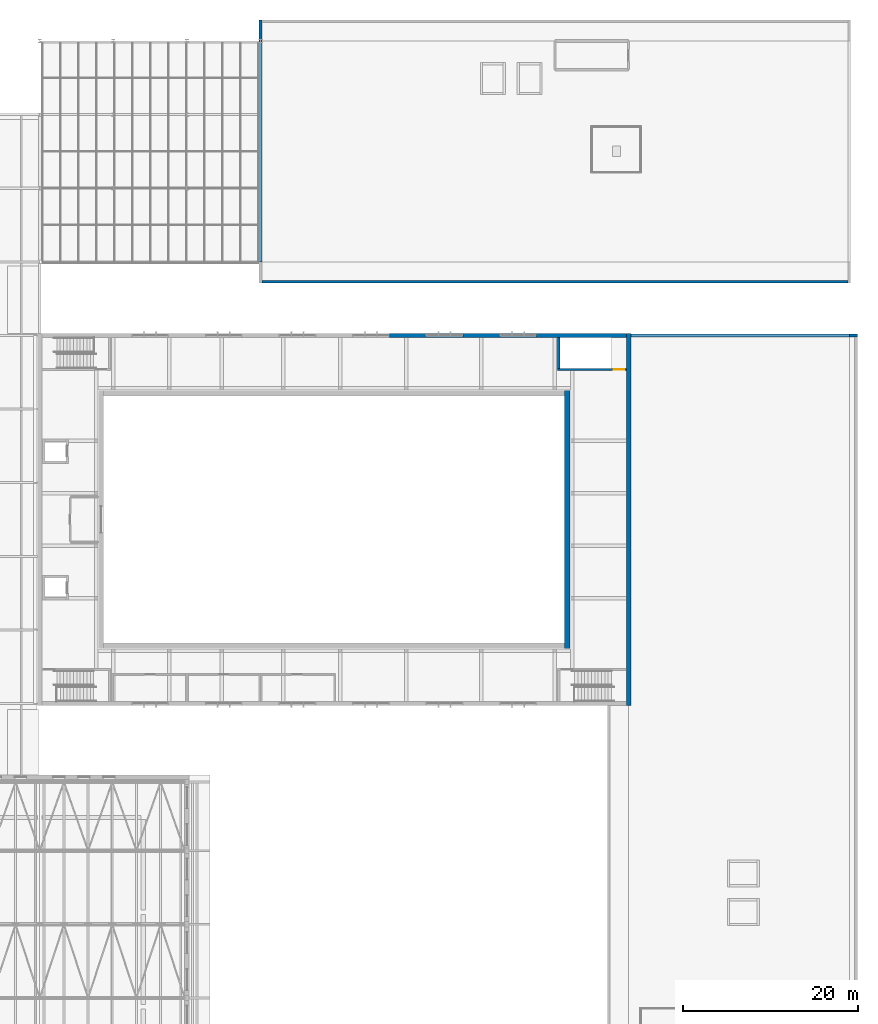
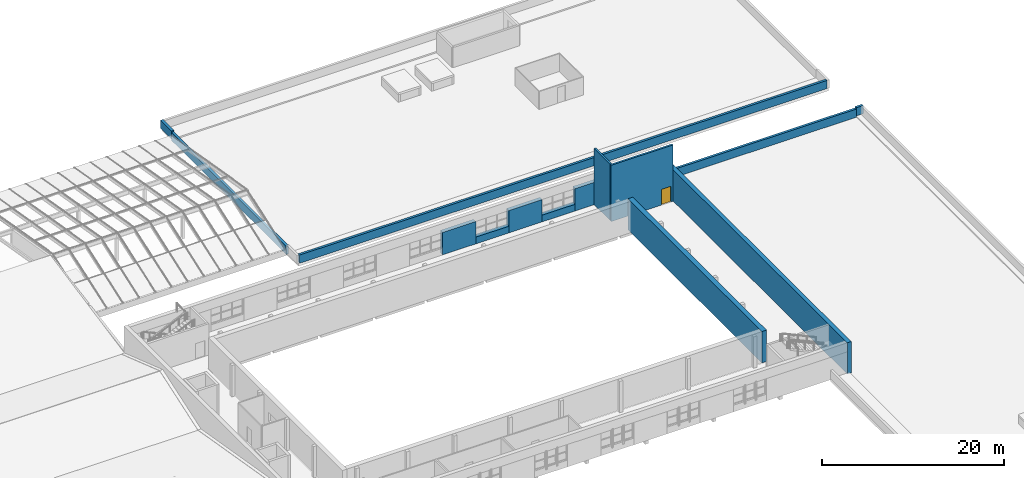
# One storey, part 44 of 60: 14 walls, 1 door, 1 opening.
"""IFC4 building model written with IfcOpenShell, lengths in metres."""

from ifc_helpers import new_model, si_unit, direction, frame, frame_2d, origin, place, context, subcontext, project, spatial, rectangle, extrude, material, layer, layer_set, type_object, element, fill, save


model = new_model("IFC4")

# Units and contexts
model_context = context("Model", 3, precision=1e-05, world=origin(), true_north=direction((0.0, 1.0)))
body_context = subcontext(model_context, "Body", "Model", "MODEL_VIEW")
ifc_project = project(units=[si_unit("LENGTHUNIT", "METRE"), si_unit("AREAUNIT", "SQUARE_METRE"), si_unit("VOLUMEUNIT", "CUBIC_METRE"), si_unit("PLANEANGLEUNIT", "RADIAN"), si_unit("MASSUNIT", "GRAM", prefix="KILO")], contexts=[model_context])

# Site, building, storey
site_placement = place(None, origin())
site = spatial("IfcSite", under=ifc_project, at=site_placement, CompositionType="ELEMENT")
building_placement = place(site_placement, origin())
building = spatial("IfcBuilding", under=site, at=building_placement, Name="Ljudholm Concert House", CompositionType="ELEMENT")
storey_placement = place(building_placement, frame((0.0, 0.0, 15.0)))
storey = spatial("IfcBuildingStorey", under=building, at=storey_placement, Name="L03", CompositionType="ELEMENT", Elevation=15.0)

# Walls
ifc_material_1 = material(Name="Precast concrete 5,000 psi", Category="concrete")
ifc_layer_1 = layer(ifc_material_1, 0.300048828125)
ifc_layer_set_1 = layer_set([ifc_layer_1], Name="Precast concrete 5,000 psi")
wall_type_1 = type_object("IfcWallType", Name="PARAPET 300", PredefinedType="PARAPET", material=ifc_layer_set_1)
wall_1_placement = place(storey_placement, frame((96.64990234375, 96.39990234375, 0.0), z_axis=(0.0, 0.0, 1.0), x_axis=(1.0, 0.0, 0.0)))
element("IfcWall", 1, at=wall_1_placement, inside=storey, type_object=wall_type_1, Name="Parapet", PredefinedType="PARAPET", context=body_context, shape_type="SweptSolid", body=[
    extrude(rectangle(XDim=24.9501953125, YDim=0.300048828125, at=frame_2d((12.47509765625, 0.0))), origin(), (0.0, 0.0, 1.0), 1.10009765625),
])
wall_2_placement = place(storey_placement, frame((121.60009765625, 96.39990234375, 0.169921875), z_axis=(0.0, 0.0, 1.0), x_axis=(1.0, 0.0, 0.0)))
element("IfcWall", 2, at=wall_2_placement, inside=storey, type_object=wall_type_1, Name="Parapet", PredefinedType="PARAPET", context=body_context, shape_type="SweptSolid", body=[
    extrude(rectangle(XDim=0.89990234375, YDim=0.300048828125, at=frame_2d((0.449951171875, 0.0))), origin(), (0.0, 0.0, 1.0), 1.10009765625),
])
wall_3_placement = place(storey_placement, frame((54.39990234375, 104.800048828125, 0.0), z_axis=(0.0, 0.0, 1.0), x_axis=(0.0, 1.0, 0.0)))
element("IfcWall", 3, at=wall_3_placement, inside=storey, type_object=wall_type_1, Name="Parapet", PredefinedType="PARAPET", context=body_context, shape_type="SweptSolid", body=[
    extrude(rectangle(XDim=25.199951171875, YDim=0.300048828125, at=frame_2d((12.60009765625, 0.0))), origin(), (0.0, 0.0, 1.0), 1.10009765625),
])
wall_4_placement = place(storey_placement, frame((54.39990234375, 130.0, 0.169921875), z_axis=(0.0, 0.0, 1.0), x_axis=(0.0, 1.0, 0.0)))
element("IfcWall", 4, at=wall_4_placement, inside=storey, type_object=wall_type_1, Name="Parapet", PredefinedType="PARAPET", context=body_context, shape_type="SweptSolid", body=[
    extrude(rectangle(XDim=2.39990234375, YDim=0.300048828125, at=frame_2d((1.199951171875, 0.0))), origin(), (0.0, 0.0, 1.0), 1.10009765625),
])
wall_5_placement = place(storey_placement, frame((54.550048828125, 102.550048828125, 0.169921875), z_axis=(0.0, 0.0, 1.0), x_axis=(1.0, 0.0, 0.0)))
element("IfcWall", 5, at=wall_5_placement, inside=storey, type_object=wall_type_1, Name="Parapet", PredefinedType="PARAPET", context=body_context, shape_type="SweptSolid", body=[
    extrude(rectangle(XDim=66.89990234375, YDim=0.300048828125, at=frame_2d((33.449951171875, 0.0))), origin(), (0.0, 0.0, 1.0), 1.10009765625),
])

# Wall, opening, door
ifc_material_2 = material(Name="Concrete 6,500 psi", Category="concrete")
ifc_layer_2 = layer(ifc_material_2, 0.25)
ifc_layer_set_2 = layer_set([ifc_layer_2], Name="Concrete 6,500 psi")
wall_type_2 = type_object("IfcWallType", Name="RC WALL 250", PredefinedType="SOLIDWALL", material=ifc_layer_set_2)
wall_6_placement = place(storey_placement, frame((88.300048828125, 92.52490234375, 0.0), z_axis=(0.0, 0.0, 1.0), x_axis=(1.0, 0.0, 0.0)))
wall_6 = element("IfcWall", 6, at=wall_6_placement, inside=storey, type_object=wall_type_2, Name="Stair enclosure wall EH4", PredefinedType="SOLIDWALL", context=body_context, shape_type="SweptSolid", body=[
    extrude(rectangle(XDim=7.849853515625, YDim=0.25, at=frame_2d((3.9248046875, 0.0))), origin(), (0.0, 0.0, 1.0), 7.550048828125),
])
opening_placement = place(wall_6_placement, frame((6.39990234375, 0.0, 0.0)))
opening = element("IfcOpeningElement", 7, at=opening_placement, cuts=wall_6, Name="Opening D-H03-010", PredefinedType="OPENING", context=body_context, shape_type="SweptSolid", body=[
    extrude(rectangle(XDim=1.199951171875, YDim=2.10009765625, at=frame_2d((0.60009765625, 1.050048828125))), frame((0.0, 0.135009765625, 0.0), z_axis=(0.0, -1.0, 0.0), x_axis=(1.0, 0.0, 0.0)), (0.0, 0.0, 1.0), 0.27001953125),
])
ifc_material_3 = material(Name="Hollow metal door in steel frame", Category="steel")
door_type = type_object("IfcDoorType", Name="SWING DOOR 1200x2100", OperationType="SINGLE_SWING_LEFT", PredefinedType="DOOR", material=ifc_material_3)
door_placement = place(opening_placement, origin())
door = element("IfcDoor", 8, at=door_placement, inside=storey, type_object=door_type, Name="Exit stair EH4 door", OperationType="SINGLE_SWING_LEFT", OverallHeight=2.10009765625, OverallWidth=1.199951171875, PredefinedType="DOOR", context=body_context, shape_type="SweptSolid", body=[
    extrude(rectangle(XDim=1.199951171875, YDim=2.10009765625, at=frame_2d((0.60009765625, 1.050048828125))), frame((0.0, 0.02490234375, 0.0), z_axis=(0.0, -1.0, 0.0), x_axis=(1.0, 0.0, 0.0)), (0.0, 0.0, 1.0), 0.050048828125),
])
fill(opening, door)

# Walls
wall_7_placement = place(storey_placement, frame((88.425048828125, 92.64990234375, 0.0), z_axis=(0.0, 0.0, 1.0), x_axis=(0.0, 1.0, 0.0)))
element("IfcWall", 9, at=wall_7_placement, inside=storey, type_object=wall_type_2, Name="Stair enclosure wall EH4", PredefinedType="SOLIDWALL", context=body_context, shape_type="SweptSolid", body=[
    extrude(rectangle(XDim=3.5, YDim=0.25, at=frame_2d((1.75, 0.0))), origin(), (0.0, 0.0, 1.0), 7.550048828125),
])
ifc_material_4 = material(Name="Concrete 6,500 psi", Category="concrete")
ifc_layer_3 = layer(ifc_material_4, 0.5)
ifc_layer_set_3 = layer_set([ifc_layer_3], Name="Concrete 6,500 psi")
wall_type_3 = type_object("IfcWallType", Name="RC WALL 500", PredefinedType="SOLIDWALL", material=ifc_layer_set_3)
wall_8_placement = place(storey_placement, frame((96.39990234375, 54.14990234375, 0.0), z_axis=(0.0, 0.0, 1.0), x_axis=(0.0, 1.0, 0.0)))
element("IfcWall", 10, at=wall_8_placement, inside=storey, type_object=wall_type_3, Name="Outer wall E", PredefinedType="SOLIDWALL", context=body_context, shape_type="SweptSolid", body=[
    extrude(rectangle(XDim=42.5, YDim=0.5, at=frame_2d((21.25, 0.0))), origin(), (0.0, 0.0, 1.0), 4.199951171875),
])
for number, where, z_axis, x_axis, name in (
    (11, (69.10009765625, 96.39990234375, 0.0), (0.0, 0.0, 1.0), (1.0, 0.0, 0.0), "Outer wall N"),
    (12, (77.5, 96.39990234375, 0.0), (0.0, 0.0, 1.0), (1.0, 0.0, 0.0), "Outer wall N"),
):
    element("IfcWall", number, at=place(storey_placement, frame(where, z_axis=z_axis, x_axis=x_axis)), inside=storey, type_object=wall_type_3, Name=name, PredefinedType="SOLIDWALL", context=body_context, shape_type="SweptSolid", body=[
        extrude(rectangle(XDim=4.199951171875, YDim=0.5, at=frame_2d((2.10009765625, 0.0))), origin(), (0.0, 0.0, 1.0), 3.0),
    ])
wall_9_placement = place(storey_placement, frame((85.89990234375, 96.39990234375, 0.0), z_axis=(0.0, 0.0, 1.0), x_axis=(1.0, 0.0, 0.0)))
element("IfcWall", 13, at=wall_9_placement, inside=storey, type_object=wall_type_3, Name="Outer wall N", PredefinedType="SOLIDWALL", context=body_context, shape_type="SweptSolid", body=[
    extrude(rectangle(XDim=10.25, YDim=0.5, at=frame_2d((5.125, 0.0))), origin(), (0.0, 0.0, 1.0), 3.0),
])
for number, where, z_axis, x_axis, name in (
    (14, (73.300048828125, 96.39990234375, 0.0), (0.0, 0.0, 1.0), (1.0, 0.0, 0.0), "Outer wall N"),
    (15, (81.699951171875, 96.39990234375, 0.0), (0.0, 0.0, 1.0), (1.0, 0.0, 0.0), "Outer wall N"),
):
    element("IfcWall", number, at=place(storey_placement, frame(where, z_axis=z_axis, x_axis=x_axis)), inside=storey, type_object=wall_type_3, Name=name, PredefinedType="SOLIDWALL", context=body_context, shape_type="SweptSolid", body=[
        extrude(rectangle(XDim=4.199951171875, YDim=0.5, at=frame_2d((2.10009765625, 0.0))), origin(), (0.0, 0.0, 1.0), 0.89990234375),
    ])
ifc_material_5 = material(Name="Concrete 6,500 psi", Category="concrete")
ifc_layer_4 = layer(ifc_material_5, 0.60009765625)
ifc_layer_set_4 = layer_set([ifc_layer_4], Name="Concrete 6,500 psi")
wall_type_4 = type_object("IfcWallType", Name="RC WALL 600", PredefinedType="SOLIDWALL", material=ifc_layer_set_4)
wall_10_placement = place(storey_placement, frame((89.39990234375, 60.699951171875, 0.0), z_axis=(0.0, 0.0, 1.0), x_axis=(0.0, 1.0, 0.0)))
element("IfcWall", 16, at=wall_10_placement, inside=storey, type_object=wall_type_4, Name="Inner box wall E", PredefinedType="SOLIDWALL", context=body_context, shape_type="SweptSolid", body=[
    extrude(rectangle(XDim=29.400146484375, YDim=0.60009765625, at=frame_2d((14.7001953125, 0.0))), origin(), (0.0, 0.0, 1.0), 4.199951171875),
])

save(model, "model.ifc")
